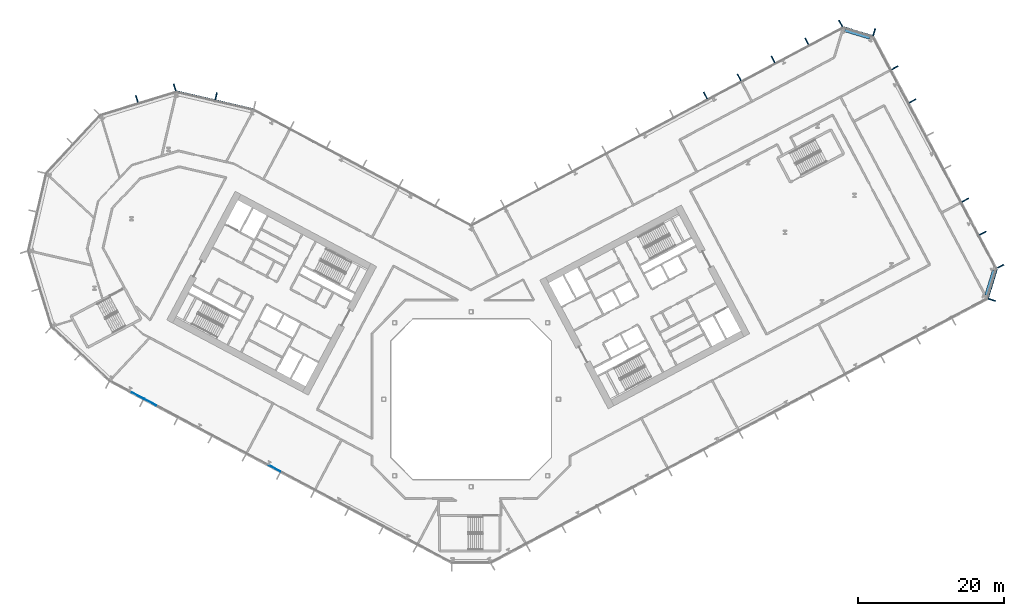
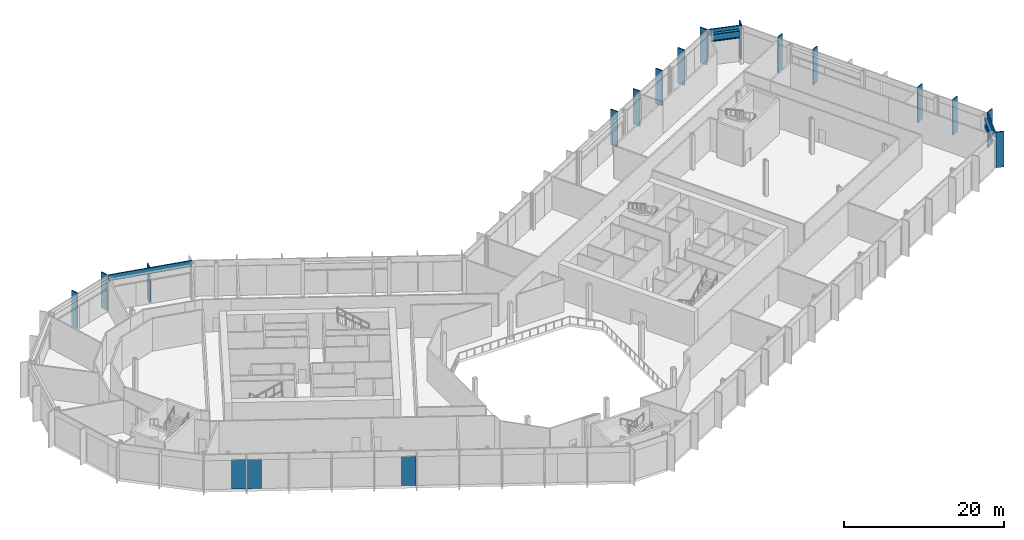
# One storey, part 8 of 31: 18 members, 3 plates, 2 beams, 7 elements without a shape of their own.
"""IFC4 building model written with IfcOpenShell, lengths in metres."""

import ifcopenshell
import ifcopenshell.guid

model = None  # the IFC model being written
_history = None  # IfcOwnerHistory: only IFC2X3 demands one
_inside = {}  # id of a spatial element -> (the spatial element, [elements in it])
_under = {}  # id of a project, library or spatial element -> (it, [spatial elements below it])
_declared = {}  # id of a project -> (the project, [libraries it declares])
_typed = {}  # id of a type object -> (the type object, [elements of that type])
_made_of = {}  # id of a material, layer set ... -> (it, [elements and type objects made of it])


def new_model(schema):
    """Start an empty IFC model of exactly this schema.

    Asked for "IFC4X3", IfcOpenShell would pick the latest addendum, in which some entities
    have other attributes; the version numbers below select the first issue.
    IFC2X3 requires an IfcOwnerHistory on every rooted entity: one is made here for all.
    """
    global model, _history
    if schema == "IFC4X3":
        model = ifcopenshell.file(schema_version=(4, 3, 0, 0))
    else:
        model = ifcopenshell.file(schema=schema)
    _inside.clear()
    _under.clear()
    _declared.clear()
    _typed.clear()
    _made_of.clear()
    _history = None
    if model.schema == "IFC2X3":
        org = make("IfcOrganization", Name="unknown")
        user = make(
            "IfcPersonAndOrganization",
            ThePerson=make("IfcPerson", FamilyName="unknown"),
            TheOrganization=org,
        )
        app = make(
            "IfcApplication",
            ApplicationDeveloper=org,
            Version="unknown",
            ApplicationFullName="unknown",
            ApplicationIdentifier="unknown",
        )
        _history = make(
            "IfcOwnerHistory",
            OwningUser=user,
            OwningApplication=app,
            ChangeAction="ADDED",
            CreationDate=0,
        )
    return model


def make(cls, **values):
    """One entity of the class cls with the attributes given. An attribute that is None is left unset."""
    return model.create_entity(
        cls, **{name: value for name, value in values.items() if value is not None}
    )


def rooted(cls, **values):
    """An entity with a GlobalId (a new one), such as an element, a storey or a relation."""
    return make(cls, GlobalId=ifcopenshell.guid.new(), OwnerHistory=_history, **values)


def si_unit(unit_type, name, prefix=None):
    """IfcSIUnit, for example si_unit("LENGTHUNIT", "METRE", prefix="MILLI")."""
    return make("IfcSIUnit", UnitType=unit_type, Prefix=prefix, Name=name)


def assignment(units):
    """IfcUnitAssignment: the units of a project."""
    return None if units is None else make("IfcUnitAssignment", Units=units)


def point(xyz):
    """IfcCartesianPoint."""
    return None if xyz is None else make("IfcCartesianPoint", Coordinates=xyz)


def direction(xyz):
    """IfcDirection."""
    return None if xyz is None else make("IfcDirection", DirectionRatios=xyz)


def frame(location, z_axis=None, x_axis=None):
    """IfcAxis2Placement3D, a coordinate frame: its origin and axes. An axis left out is left unset."""
    return make(
        "IfcAxis2Placement3D",
        Location=point(location),
        Axis=direction(z_axis),
        RefDirection=direction(x_axis),
    )


def frame_2d(location, x_axis=None):
    """IfcAxis2Placement2D, a coordinate frame in the plane: its origin and x axis."""
    return make(
        "IfcAxis2Placement2D", Location=point(location), RefDirection=direction(x_axis)
    )


def origin():
    """The frame at (0, 0, 0) with its axes left unset."""
    return frame((0.0, 0.0, 0.0))


def origin_2d():
    """The frame at (0, 0) in the plane with its x axis left unset."""
    return frame_2d((0.0, 0.0))


def place(relative_to, where):
    """IfcLocalPlacement: puts the frame where relative to a parent placement (None: the world)."""
    return make(
        "IfcLocalPlacement", PlacementRelTo=relative_to, RelativePlacement=where
    )


def context(
    kind, dimensions, precision=None, world=None, true_north=None, identifier=None
):
    """IfcGeometricRepresentationContext, for example the 3D "Model" context."""
    return make(
        "IfcGeometricRepresentationContext",
        ContextIdentifier=identifier,
        ContextType=kind,
        CoordinateSpaceDimension=dimensions,
        Precision=precision,
        WorldCoordinateSystem=world,
        TrueNorth=true_north,
    )


def subcontext(parent, identifier, kind, view, scale=None):
    """IfcGeometricRepresentationSubContext, for example "Body" below "Model"."""
    return make(
        "IfcGeometricRepresentationSubContext",
        ContextIdentifier=identifier,
        ContextType=kind,
        ParentContext=parent,
        TargetScale=scale,
        TargetView=view,
    )


def project(units=None, contexts=None):
    """IfcProject with its units and contexts."""
    return rooted(
        "IfcProject",
        Name="project",
        RepresentationContexts=contexts,
        UnitsInContext=assignment(units),
    )


def spatial(cls, under=None, at=None, **own):
    """A site, building, storey or space (cls), placed at a placement, below another one or the project."""
    s = rooted(cls, ObjectPlacement=at, **own)
    if under is not None:
        _under.setdefault(under.id(), (under, []))[1].append(s)
    return s


def profile(cls, at=None, kind="AREA", **sizes):
    """A parametric profile (cls). Its sizes go by their IFC names, for example OverallWidth=200.0."""
    return make(cls, ProfileType=kind, Position=at, **sizes)


def rectangle(**sizes):
    """IfcRectangleProfileDef."""
    return profile("IfcRectangleProfileDef", **sizes)


def i_section(**sizes):
    """IfcIShapeProfileDef."""
    return profile("IfcIShapeProfileDef", **sizes)


def extrude(swept, where, along, depth):
    """IfcExtrudedAreaSolid: the profile swept, set in the frame where, extruded along a direction by depth."""
    return make(
        "IfcExtrudedAreaSolid",
        SweptArea=swept,
        Position=where,
        ExtrudedDirection=direction(along),
        Depth=depth,
    )


def shape(context_of_items, identifier, shape_type, items):
    """IfcShapeRepresentation: the items that make up one representation, for example the "Body"."""
    return make(
        "IfcShapeRepresentation",
        ContextOfItems=context_of_items,
        RepresentationIdentifier=identifier,
        RepresentationType=shape_type,
        Items=items,
    )


def material(Name=None, Category=None):
    """IfcMaterial."""
    return make("IfcMaterial", Name=Name, Category=Category)


def layer(
    of_material, thickness, ventilated=None, Name=None, Category=None, Priority=None
):
    """IfcMaterialLayer: one layer of a wall or slab, of a material (None: an air gap)."""
    return make(
        "IfcMaterialLayer",
        Material=of_material,
        LayerThickness=thickness,
        IsVentilated=ventilated,
        Name=Name,
        Category=Category,
        Priority=Priority,
    )


def layer_set(layers, Name=None):
    """IfcMaterialLayerSet."""
    return make("IfcMaterialLayerSet", MaterialLayers=layers, LayerSetName=Name)


def material_profile(
    of_material, cross_section, Name=None, Category=None, Priority=None
):
    """IfcMaterialProfile: a cross section and its material."""
    return make(
        "IfcMaterialProfile",
        Name=Name,
        Material=of_material,
        Profile=cross_section,
        Priority=Priority,
        Category=Category,
    )


def profile_set(profiles, Name=None, composite=None):
    """IfcMaterialProfileSet."""
    return make(
        "IfcMaterialProfileSet",
        Name=Name,
        MaterialProfiles=profiles,
        CompositeProfile=composite,
    )


def made_of(thing, what):
    """Note that an element or type object is made of a material, layer set ...; save() writes the relation."""
    if what is not None:
        _made_of.setdefault(what.id(), (what, []))[1].append(thing)
    return thing


def type_object(cls, material=None, **own):
    """A type object (cls), such as IfcWallType, which elements share."""
    return made_of(rooted(cls, **own), material)


def element(
    cls,
    number,
    at=None,
    inside=None,
    cuts=None,
    type_object=None,
    material=None,
    context=None,
    identifier="Body",
    shape_type=None,
    held_by="IfcProductDefinitionShape",
    body=None,
    shapes=None,
    **own,
):
    """One element of the class cls, such as IfcWall. Its Tag is "e" and its number.

    at: its placement. inside: the storey or other place that contains it. cuts: it is an
    opening in that element (IfcRelVoidsElement). A single representation is given by context,
    identifier, shape_type and body (its items); several are given by shapes. held_by: the class
    of the entity that holds the representations. save() writes the other relations.
    """
    e = rooted(cls, Tag="e%d" % number, ObjectPlacement=at, **own)
    if body is not None:
        shapes = [shape(context, identifier, shape_type, body)]
    if shapes is not None:
        e.Representation = make(held_by, Representations=shapes)
    if inside is not None:
        _inside.setdefault(inside.id(), (inside, []))[1].append(e)
    if cuts is not None:
        rooted(
            "IfcRelVoidsElement", RelatingBuildingElement=cuts, RelatedOpeningElement=e
        )
    if type_object is not None:
        _typed.setdefault(type_object.id(), (type_object, []))[1].append(e)
    return made_of(e, material)


def aggregate(whole, parts):
    """IfcRelAggregates: a whole, such as a stair, and the parts it consists of."""
    return rooted("IfcRelAggregates", RelatingObject=whole, RelatedObjects=parts)


def save(model, path):
    """Write the relations noted so far, then the file.

    IfcRelAggregates (storeys below a building ...), IfcRelContainedInSpatialStructure (elements
    in a storey), IfcRelDefinesByType, IfcRelAssociatesMaterial and IfcRelDeclares: one each for
    every whole, place, type object, material and project.
    """
    for whole, parts in _under.values():
        aggregate(whole, parts)
    for where, things in _inside.values():
        rooted(
            "IfcRelContainedInSpatialStructure",
            RelatedElements=things,
            RelatingStructure=where,
        )
    for kind, things in _typed.values():
        rooted("IfcRelDefinesByType", RelatedObjects=things, RelatingType=kind)
    for what, things in _made_of.values():
        rooted("IfcRelAssociatesMaterial", RelatedObjects=things, RelatingMaterial=what)
    for by, libraries in _declared.values():
        rooted("IfcRelDeclares", RelatingContext=by, RelatedDefinitions=libraries)
    model.write(path)


model = new_model("IFC4")

# Units and contexts
model_context = context("Model", 3, precision=1e-05, world=origin(), true_north=direction((0.0, 1.0)))
body_context = subcontext(model_context, "Body", "Model", "MODEL_VIEW")
ifc_project = project(units=[si_unit("LENGTHUNIT", "METRE"), si_unit("AREAUNIT", "SQUARE_METRE"), si_unit("VOLUMEUNIT", "CUBIC_METRE"), si_unit("PLANEANGLEUNIT", "RADIAN"), si_unit("MASSUNIT", "GRAM", prefix="KILO")], contexts=[model_context])

# Site, building, storey
site_placement = place(None, origin())
site = spatial("IfcSite", under=ifc_project, at=site_placement, CompositionType="ELEMENT")
building_placement = place(site_placement, origin())
building = spatial("IfcBuilding", under=site, at=building_placement, Name="Cormorant Relay Tower", CompositionType="ELEMENT")
storey_placement = place(building_placement, frame((0.0, 0.0, 23.0)))
storey = spatial("IfcBuildingStorey", under=building, at=storey_placement, Name="L04", CompositionType="ELEMENT", Elevation=23.0)

# Curtain wall, member
ifc_material_1 = material(Name="Aluminium 6063-T6 anodised bronze", Category="aluminium")
ifc_layer_1 = layer(ifc_material_1, 0.235107421875)
ifc_layer_set_1 = layer_set([ifc_layer_1], Name="CW6 data hall curtain wall with mineral wool panels")
curtain_wall_type = type_object("IfcCurtainWallType", Name="CW6 data hall curtain wall with mineral wool panels", PredefinedType="NOTDEFINED", material=ifc_layer_set_1)
curtain_wall_1_placement = place(storey_placement, origin())
curtain_wall_1 = element("IfcCurtainWall", 1, at=curtain_wall_1_placement, inside=storey, type_object=curtain_wall_type, Name="CW6 curtain wall 3", PredefinedType="NOTDEFINED")
ifc_material_2 = material(Name="Aluminium 6063-T6 anodised bronze", Category="aluminium")
ifc_material_profile_1 = material_profile(ifc_material_2, rectangle(XDim=0.14990234375, YDim=1.0, at=origin_2d()), Name="AL 150x1000")
ifc_profile_set_1 = profile_set([ifc_material_profile_1], Name="Aluminium 6063-T6 anodised bronze")
member_type_1 = type_object("IfcMemberType", Name="CW6 bronze fin mullion 150 x 1000", PredefinedType="MULLION", material=ifc_profile_set_1)
member_1_placement = place(storey_placement, frame((71.485107421875, 13.63671875, 0.0), z_axis=(0.0, 0.0, 1.0), x_axis=(0.292371704723, 0.956304755963, 0.0)))
member_1 = element("IfcMember", 2, at=member_1_placement, type_object=member_type_1, Name="CW6 fin 3.1", PredefinedType="MULLION", context=body_context, shape_type="SweptSolid", body=[
    extrude(rectangle(XDim=0.14990234375, YDim=1.0, at=origin_2d()), origin(), (0.0, 0.0, 1.0), 5.39990234375),
])

# Curtain wall, members
curtain_wall_2_placement = place(storey_placement, origin())
curtain_wall_2 = element("IfcCurtainWall", 3, at=curtain_wall_2_placement, inside=storey, type_object=curtain_wall_type, Name="CW6 curtain wall 4", PredefinedType="NOTDEFINED")
member_2_placement = place(storey_placement, frame((72.671630859375, 18.25390625, 0.0), z_axis=(0.0, 0.0, 1.0), x_axis=(-0.469471562786, 0.882947592859, 0.0)))
member_2 = element("IfcMember", 4, at=member_2_placement, type_object=member_type_1, Name="CW6 fin 4.1", PredefinedType="MULLION", context=body_context, shape_type="SweptSolid", body=[
    extrude(rectangle(XDim=0.14990234375, YDim=1.0, at=origin_2d()), origin(), (0.0, 0.0, 1.0), 5.39990234375),
])
member_3_placement = place(storey_placement, frame((70.25732421875, 22.794921875, 0.0), z_axis=(0.0, 0.0, 1.0), x_axis=(-0.469471562786, 0.882947592859, 0.0)))
member_3 = element("IfcMember", 5, at=member_3_placement, type_object=member_type_1, Name="CW6 fin 4.2", PredefinedType="MULLION", context=body_context, shape_type="SweptSolid", body=[
    extrude(rectangle(XDim=0.14990234375, YDim=1.0, at=origin_2d()), origin(), (0.0, 0.0, 1.0), 5.39990234375),
])
member_4_placement = place(storey_placement, frame((67.8427734375, 27.335693359375, 0.0), z_axis=(0.0, 0.0, 1.0), x_axis=(-0.469471562786, 0.882947592859, 0.0)))
member_4 = element("IfcMember", 6, at=member_4_placement, type_object=member_type_1, Name="CW6 fin 4.3", PredefinedType="MULLION", context=body_context, shape_type="SweptSolid", body=[
    extrude(rectangle(XDim=0.14990234375, YDim=1.0, at=origin_2d()), origin(), (0.0, 0.0, 1.0), 5.39990234375),
])
member_5_placement = place(storey_placement, frame((60.599609375, 40.958251953125, 0.0), z_axis=(0.0, 0.0, 1.0), x_axis=(-0.469471562786, 0.882947592859, 0.0)))
member_5 = element("IfcMember", 7, at=member_5_placement, type_object=member_type_1, Name="CW6 fin 4.6", PredefinedType="MULLION", context=body_context, shape_type="SweptSolid", body=[
    extrude(rectangle(XDim=0.14990234375, YDim=1.0, at=origin_2d()), origin(), (0.0, 0.0, 1.0), 5.39990234375),
])
member_6_placement = place(storey_placement, frame((58.18505859375, 45.499267578125, 0.0), z_axis=(0.0, 0.0, 1.0), x_axis=(-0.469471562786, 0.882947592859, 0.0)))
member_6 = element("IfcMember", 8, at=member_6_placement, type_object=member_type_1, Name="CW6 fin 4.7", PredefinedType="MULLION", context=body_context, shape_type="SweptSolid", body=[
    extrude(rectangle(XDim=0.14990234375, YDim=1.0, at=origin_2d()), origin(), (0.0, 0.0, 1.0), 5.39990234375),
])
aggregate(curtain_wall_2, [member_2, member_3, member_4, member_5, member_6])

# Curtain wall, member
curtain_wall_3_placement = place(storey_placement, origin())
curtain_wall_3 = element("IfcCurtainWall", 9, at=curtain_wall_3_placement, inside=storey, type_object=curtain_wall_type, Name="CW6 curtain wall 5", PredefinedType="NOTDEFINED")
member_7_placement = place(storey_placement, frame((55.336669921875, 50.39794921875, 0.0), z_axis=(0.0, 0.0, 1.0), x_axis=(-0.956304755963, 0.292371704723, 0.0)))
member_7 = element("IfcMember", 10, at=member_7_placement, type_object=member_type_1, Name="CW6 fin 5.1", PredefinedType="MULLION", context=body_context, shape_type="SweptSolid", body=[
    extrude(rectangle(XDim=0.14990234375, YDim=1.0, at=origin_2d()), origin(), (0.0, 0.0, 1.0), 5.39990234375),
])

# Curtain wall, members
curtain_wall_4_placement = place(storey_placement, origin())
curtain_wall_4 = element("IfcCurtainWall", 11, at=curtain_wall_4_placement, inside=storey, type_object=curtain_wall_type, Name="CW6 curtain wall 6", PredefinedType="NOTDEFINED")
member_8_placement = place(storey_placement, frame((50.719482421875, 51.58447265625, 0.0), z_axis=(0.0, 0.0, 1.0), x_axis=(-0.882947592859, -0.469471562786, 0.0)))
member_8 = element("IfcMember", 12, at=member_8_placement, type_object=member_type_1, Name="CW6 fin 6.1", PredefinedType="MULLION", context=body_context, shape_type="SweptSolid", body=[
    extrude(rectangle(XDim=0.14990234375, YDim=1.0, at=origin_2d()), origin(), (0.0, 0.0, 1.0), 5.39990234375),
])
member_9_placement = place(storey_placement, frame((46.0771484375, 49.1162109375, 0.0), z_axis=(0.0, 0.0, 1.0), x_axis=(-0.882947592859, -0.469471562786, 0.0)))
member_9 = element("IfcMember", 13, at=member_9_placement, type_object=member_type_1, Name="CW6 fin 6.2", PredefinedType="MULLION", context=body_context, shape_type="SweptSolid", body=[
    extrude(rectangle(XDim=0.14990234375, YDim=1.0, at=origin_2d()), origin(), (0.0, 0.0, 1.0), 5.39990234375),
])
member_10_placement = place(storey_placement, frame((41.43505859375, 46.647705078125, 0.0), z_axis=(0.0, 0.0, 1.0), x_axis=(-0.882947592859, -0.469471562786, 0.0)))
member_10 = element("IfcMember", 14, at=member_10_placement, type_object=member_type_1, Name="CW6 fin 6.3", PredefinedType="MULLION", context=body_context, shape_type="SweptSolid", body=[
    extrude(rectangle(XDim=0.14990234375, YDim=1.0, at=origin_2d()), origin(), (0.0, 0.0, 1.0), 5.39990234375),
])
member_11_placement = place(storey_placement, frame((36.792724609375, 44.179443359375, 0.0), z_axis=(0.0, 0.0, 1.0), x_axis=(-0.882947592859, -0.469471562786, 0.0)))
member_11 = element("IfcMember", 15, at=member_11_placement, type_object=member_type_1, Name="CW6 fin 6.4", PredefinedType="MULLION", context=body_context, shape_type="SweptSolid", body=[
    extrude(rectangle(XDim=0.14990234375, YDim=1.0, at=origin_2d()), origin(), (0.0, 0.0, 1.0), 5.39990234375),
])
member_12_placement = place(storey_placement, frame((32.150390625, 41.711181640625, 0.0), z_axis=(0.0, 0.0, 1.0), x_axis=(-0.882947592859, -0.469471562786, 0.0)))
member_12 = element("IfcMember", 16, at=member_12_placement, type_object=member_type_1, Name="CW6 fin 6.5", PredefinedType="MULLION", context=body_context, shape_type="SweptSolid", body=[
    extrude(rectangle(XDim=0.14990234375, YDim=1.0, at=origin_2d()), origin(), (0.0, 0.0, 1.0), 5.39990234375),
])
aggregate(curtain_wall_4, [member_8, member_9, member_10, member_11, member_12])

# Curtain wall, member
curtain_wall_5_placement = place(storey_placement, origin())
curtain_wall_5 = element("IfcCurtainWall", 17, at=curtain_wall_5_placement, inside=storey, type_object=curtain_wall_type, Name="CW6 curtain wall 8", PredefinedType="NOTDEFINED")
member_13_placement = place(storey_placement, frame((-35.00439453125, 41.60693359375, 0.0), z_axis=(0.0, 0.0, 1.0), x_axis=(-0.974370064785, 0.224951054344, 0.0)))
member_13 = element("IfcMember", 18, at=member_13_placement, type_object=member_type_1, Name="CW6 fin 8.2", PredefinedType="MULLION", context=body_context, shape_type="SweptSolid", body=[
    extrude(rectangle(XDim=0.14990234375, YDim=1.0, at=origin_2d()), origin(), (0.0, 0.0, 1.0), 5.39990234375),
])

# Curtain wall, members
curtain_wall_6_placement = place(storey_placement, origin())
curtain_wall_6 = element("IfcCurtainWall", 19, at=curtain_wall_6_placement, inside=storey, type_object=curtain_wall_type, Name="CW6 curtain wall 9", PredefinedType="NOTDEFINED")
member_14_placement = place(storey_placement, frame((-40.680419921875, 42.81640625, 0.0), z_axis=(0.0, 0.0, 1.0), x_axis=(-0.956304755963, -0.292371704723, 0.0)))
member_14 = element("IfcMember", 20, at=member_14_placement, type_object=member_type_1, Name="CW6 fin 9.1", PredefinedType="MULLION", context=body_context, shape_type="SweptSolid", body=[
    extrude(rectangle(XDim=0.14990234375, YDim=1.0, at=origin_2d()), origin(), (0.0, 0.0, 1.0), 5.39990234375),
])
member_15_placement = place(storey_placement, frame((-45.878173828125, 41.227294921875, 0.0), z_axis=(0.0, 0.0, 1.0), x_axis=(-0.956304755963, -0.292371704723, 0.0)))
member_15 = element("IfcMember", 21, at=member_15_placement, type_object=member_type_1, Name="CW6 fin 9.2", PredefinedType="MULLION", context=body_context, shape_type="SweptSolid", body=[
    extrude(rectangle(XDim=0.14990234375, YDim=1.0, at=origin_2d()), origin(), (0.0, 0.0, 1.0), 5.39990234375),
])
aggregate(curtain_wall_6, [member_14, member_15])

# Member
ifc_material_3 = material(Name="Aluminium 6063-T6 anodised bronze", Category="aluminium")
ifc_material_profile_2 = material_profile(ifc_material_3, rectangle(XDim=0.159912109375, YDim=0.89990234375, at=origin_2d()), Name="AL 160x900")
ifc_profile_set_2 = profile_set([ifc_material_profile_2], Name="Aluminium 6063-T6 anodised bronze")
member_type_2 = type_object("IfcMemberType", Name="CW6 bronze transom 160 x 900", PredefinedType="USERDEFINED", material=ifc_profile_set_2)
member_16_placement = place(storey_placement, frame((70.930419921875, 13.806396484375, 4.949951171875), z_axis=(0.292391046905, 0.95629884225, 0.0), x_axis=(-0.95629884225, 0.292391046905, 0.0)))
member_16 = element("IfcMember", 22, at=member_16_placement, type_object=member_type_2, Name="CW6 transom 3", ObjectType="TRANSOM", PredefinedType="USERDEFINED", context=body_context, shape_type="SweptSolid", body=[
    extrude(rectangle(XDim=0.159912109375, YDim=0.89990234375, at=origin_2d()), origin(), (0.0, 0.0, 1.0), 4.242431640625),
])

aggregate(curtain_wall_1, [member_1, member_16])

member_17_placement = place(storey_placement, frame((55.1669921875, 49.84326171875, 4.949951171875), z_axis=(-0.95629884225, 0.292391046905, 0.0), x_axis=(-0.292391046905, -0.95629884225, 0.0)))
member_17 = element("IfcMember", 23, at=member_17_placement, type_object=member_type_2, Name="CW6 transom 5", ObjectType="TRANSOM", PredefinedType="USERDEFINED", context=body_context, shape_type="SweptSolid", body=[
    extrude(rectangle(XDim=0.159912109375, YDim=0.89990234375, at=origin_2d()), origin(), (0.0, 0.0, 1.0), 4.242431640625),
])

aggregate(curtain_wall_3, [member_7, member_17])

member_18_placement = place(storey_placement, frame((-29.8388671875, 39.819091796875, 4.949951171875), z_axis=(-0.974369993916, 0.22495136131, 0.0), x_axis=(-0.22495136131, -0.974369993916, 0.0)))
member_18 = element("IfcMember", 24, at=member_18_placement, type_object=member_type_2, Name="CW6 transom 8", ObjectType="TRANSOM", PredefinedType="USERDEFINED", context=body_context, shape_type="SweptSolid", body=[
    extrude(rectangle(XDim=0.159912109375, YDim=0.89990234375, at=origin_2d()), origin(), (0.0, 0.0, 1.0), 10.870361328125),
])

aggregate(curtain_wall_5, [member_13, member_18])

# Beams
ifc_material_4 = material(Name="Steel ASTM A992 (Fy 345 MPa)", Category="steel")
ifc_material_profile_3 = material_profile(ifc_material_4, i_section(OverallWidth=0.408935546875, OverallDepth=1.137939453125, WebThickness=0.031005859375, FlangeThickness=0.05517578125, FilletRadius=0.02001953125, at=origin_2d()), Name="W1100x607")
ifc_profile_set_3 = profile_set([ifc_material_profile_3], Name="Steel ASTM A992 (Fy 345 MPa)")
beam_type = type_object("IfcBeamType", Name="Spandrel W1100x607", PredefinedType="SPANDREL", material=ifc_profile_set_3)
beam_1_placement = place(storey_placement, frame((70.697998046875, 14.275390625, 4.381103515625), z_axis=(0.292400100269, 0.956296074112, 0.0), x_axis=(-0.956296074112, 0.292400100269, 0.0)))
element("IfcBeam", 25, at=beam_1_placement, inside=storey, type_object=beam_type, Name="Spandrel beam L04-003", PredefinedType="SPANDREL", context=body_context, shape_type="SweptSolid", body=[
    extrude(i_section(OverallWidth=0.408935546875, OverallDepth=1.137939453125, WebThickness=0.031005859375, FlangeThickness=0.05517578125, FilletRadius=0.02001953125, at=origin_2d()), origin(), (0.0, 0.0, 1.0), 3.552734375),
])
beam_2_placement = place(storey_placement, frame((54.697998046875, 49.61083984375, 4.381103515625), z_axis=(-0.956309414252, 0.292356467713, 0.0), x_axis=(-0.292356467713, -0.956309414252, 0.0)))
element("IfcBeam", 26, at=beam_2_placement, inside=storey, type_object=beam_type, Name="Spandrel beam L04-005", PredefinedType="SPANDREL", context=body_context, shape_type="SweptSolid", body=[
    extrude(i_section(OverallWidth=0.408935546875, OverallDepth=1.137939453125, WebThickness=0.031005859375, FlangeThickness=0.05517578125, FilletRadius=0.02001953125, at=origin_2d()), origin(), (0.0, 0.0, 1.0), 3.552490234375),
])

# Curtain wall, plates
curtain_wall_7_placement = place(storey_placement, origin())
curtain_wall_7 = element("IfcCurtainWall", 27, at=curtain_wall_7_placement, inside=storey, type_object=curtain_wall_type, Name="CW6 curtain wall 14", PredefinedType="NOTDEFINED")
ifc_material_5 = material(Name="Tinted triple-glazed laminated unit")
ifc_layer_2 = layer(ifc_material_5, 0.074951171875)
ifc_layer_set_2 = layer_set([ifc_layer_2], Name="CW6 triple-glazed vision unit 1800 module")
plate_type = type_object("IfcPlateType", Name="CW6 triple-glazed vision unit 1800 module", PredefinedType="CURTAIN_PANEL", material=ifc_layer_set_2)
plate_1_placement = place(storey_placement, frame((-45.77587890625, 0.512939453125, 0.0), z_axis=(0.0, 0.0, 1.0), x_axis=(0.882947592859, -0.469471562786, 0.0)))
plate_1 = element("IfcPlate", 28, at=plate_1_placement, type_object=plate_type, Name="CW6 panel V01", PredefinedType="CURTAIN_PANEL", context=body_context, shape_type="SweptSolid", body=[
    extrude(rectangle(XDim=1.800048828125, YDim=0.074951171875, at=origin_2d()), origin(), (0.0, 0.0, 1.0), 4.5),
])
plate_2_placement = place(storey_placement, frame((-44.053955078125, -0.402587890625, 0.0), z_axis=(0.0, 0.0, 1.0), x_axis=(0.882947592859, -0.469471562786, 0.0)))
plate_2 = element("IfcPlate", 29, at=plate_2_placement, type_object=plate_type, Name="CW6 panel V02", PredefinedType="CURTAIN_PANEL", context=body_context, shape_type="SweptSolid", body=[
    extrude(rectangle(XDim=1.800048828125, YDim=0.074951171875, at=origin_2d()), origin(), (0.0, 0.0, 1.0), 4.5),
])
plate_3_placement = place(storey_placement, frame((-26.998779296875, -9.470947265625, 0.0), z_axis=(0.0, 0.0, 1.0), x_axis=(0.882947592859, -0.469471562786, 0.0)))
plate_3 = element("IfcPlate", 30, at=plate_3_placement, type_object=plate_type, Name="CW6 panel V05", PredefinedType="CURTAIN_PANEL", context=body_context, shape_type="SweptSolid", body=[
    extrude(rectangle(XDim=1.800048828125, YDim=0.074951171875, at=origin_2d()), origin(), (0.0, 0.0, 1.0), 4.5),
])
aggregate(curtain_wall_7, [plate_1, plate_2, plate_3])

save(model, "model.ifc")
